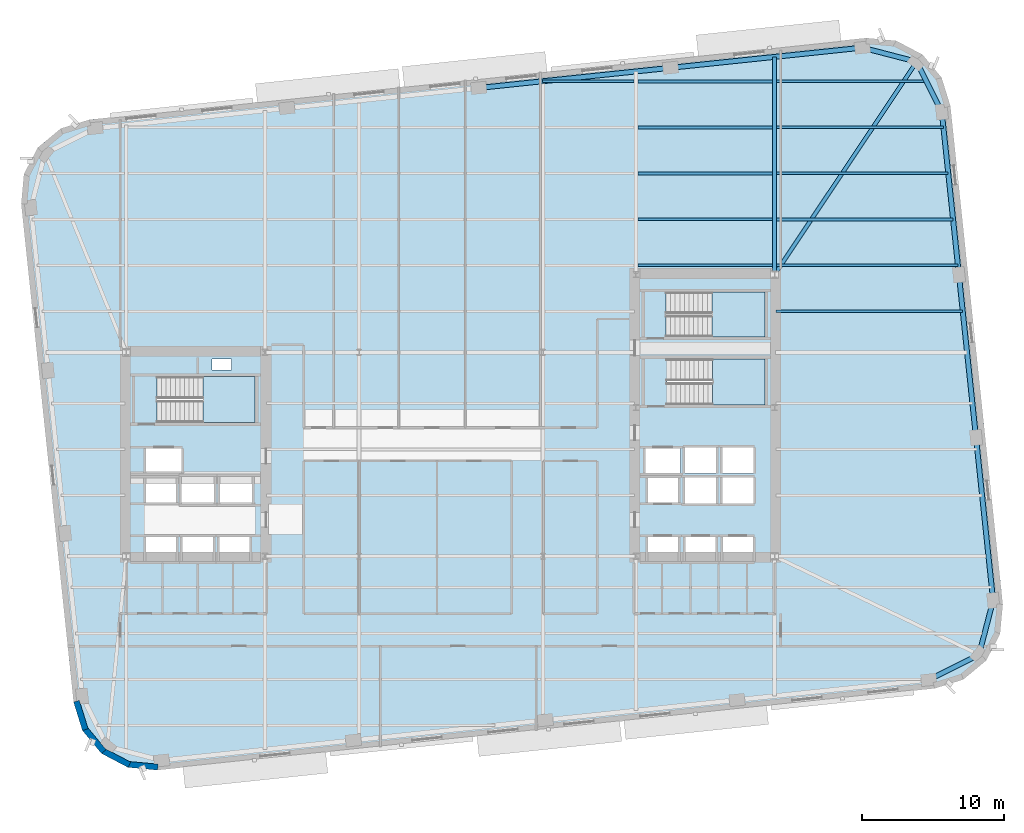
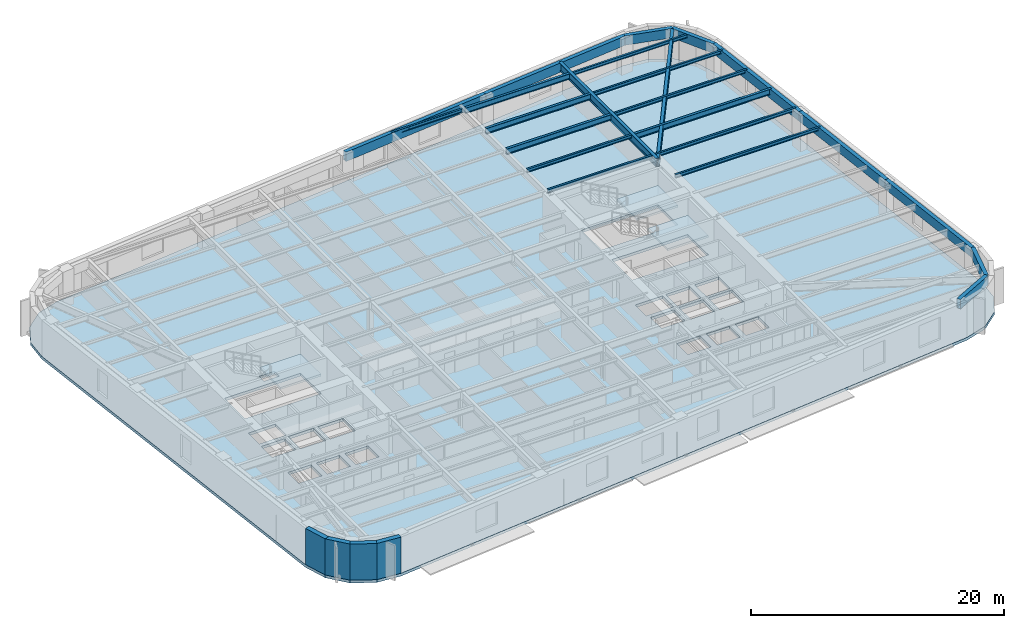
# One storey, part 3 of 15: 23 beams, 4 slabs, 4 walls, 3 elements without a shape of their own.
"""IFC4 building model written with IfcOpenShell, lengths in metres."""

from ifc_helpers import new_model, si_unit, direction, frame, frame_2d, origin, origin_2d, place, context, subcontext, project, spatial, polyline, rectangle, hollow_rectangle, i_section, outline, extrude, material, layer, layer_set, material_profile, profile_set, type_object, element, aggregate, save


model = new_model("IFC4")

# Units and contexts
model_context = context("Model", 3, precision=1e-05, world=origin(), true_north=direction((0.0, 1.0)))
body_context = subcontext(model_context, "Body", "Model", "MODEL_VIEW")
ifc_project = project(units=[si_unit("LENGTHUNIT", "METRE"), si_unit("AREAUNIT", "SQUARE_METRE"), si_unit("VOLUMEUNIT", "CUBIC_METRE"), si_unit("PLANEANGLEUNIT", "RADIAN"), si_unit("MASSUNIT", "GRAM", prefix="KILO")], contexts=[model_context])

# Site, building, storey
site_placement = place(None, origin())
site = spatial("IfcSite", under=ifc_project, at=site_placement, CompositionType="ELEMENT")
building_placement = place(site_placement, origin())
building = spatial("IfcBuilding", under=site, at=building_placement, Name="Kolvaren Arena Tower", CompositionType="ELEMENT")
storey_placement = place(building_placement, frame((0.0, 0.0, 118.449951171875)))
storey = spatial("IfcBuildingStorey", under=building, at=storey_placement, Name="L27", CompositionType="ELEMENT", Elevation=118.449951171875)

# Beams
ifc_material_1 = material(Name="Steel CSA G40.21 350W", Category="steel")
ifc_material_profile_1 = material_profile(ifc_material_1, i_section(OverallWidth=0.2119140625, OverallDepth=0.54296875, WebThickness=0.01318359375, FlangeThickness=0.0244140625, FilletRadius=0.013916015625, at=origin_2d()), Name="W530x150")
ifc_profile_set_1 = profile_set([ifc_material_profile_1], Name="Steel CSA G40.21 350W")
beam_type_1 = type_object("IfcBeamType", Name="BEAM-F1", PredefinedType="BEAM", material=ifc_profile_set_1)
beam_1_placement = place(storey_placement, frame((60.485107421875, 43.25, 3.20849609375), z_axis=(1.0, 0.0, 0.0), x_axis=(0.0, 1.0, 0.0)))
element("IfcBeam", 1, at=beam_1_placement, inside=storey, type_object=beam_type_1, Name="Composite Floor Beam (L27)", PredefinedType="BEAM", context=body_context, shape_type="SweptSolid", body=[
    extrude(i_section(OverallWidth=0.2119140625, OverallDepth=0.54296875, WebThickness=0.01318359375, FlangeThickness=0.0244140625, FilletRadius=0.013916015625, at=origin_2d()), origin(), (0.0, 0.0, 1.0), 12.471435546875),
])
for number, where, z_axis, x_axis, name in (
    (2, (50.68505859375, 46.5, 3.20849609375), (1.0, 0.0, 0.0), (0.0, 1.0, 0.0), "Composite Floor Beam (L27)"),
    (3, (50.68505859375, 49.75, 3.20849609375), (1.0, 0.0, 0.0), (0.0, 1.0, 0.0), "Composite Floor Beam (L27)"),
    (4, (50.68505859375, 53.0, 3.20849609375), (1.0, 0.0, 0.0), (0.0, 1.0, 0.0), "Composite Floor Beam (L27)"),
):
    element("IfcBeam", number, at=place(storey_placement, frame(where, z_axis=z_axis, x_axis=x_axis)), inside=storey, type_object=beam_type_1, Name=name, PredefinedType="BEAM", context=body_context, shape_type="SweptSolid", body=[
        extrude(i_section(OverallWidth=0.2119140625, OverallDepth=0.54296875, WebThickness=0.01318359375, FlangeThickness=0.0244140625, FilletRadius=0.013916015625, at=origin_2d()), origin(), (0.0, 0.0, 1.0), 9.530029296875),
    ])
ifc_material_profile_2 = material_profile(ifc_material_1, i_section(OverallWidth=0.27001953125, OverallDepth=0.77294921875, WebThickness=0.019287109375, FlangeThickness=0.033447265625, FilletRadius=0.01806640625, at=origin_2d()), Name="W760x257")
ifc_profile_set_2 = profile_set([ifc_material_profile_2], Name="Steel CSA G40.21 350W")
beam_type_2 = type_object("IfcBeamType", Name="GIRD-T1", PredefinedType="BEAM", material=ifc_profile_set_2)
beam_2_placement = place(storey_placement, frame((70.387939453125, 54.37939453125, 3.093505859375), z_axis=(-0.555401401293, -0.831582397266, 0.0), x_axis=(0.831582397266, -0.555401401293, 0.0)))
element("IfcBeam", 5, at=beam_2_placement, inside=storey, type_object=beam_type_2, Name="Corner Diagonal Tie Girder (L27)", PredefinedType="BEAM", context=body_context, shape_type="SweptSolid", body=[
    extrude(i_section(OverallWidth=0.27001953125, OverallDepth=0.77294921875, WebThickness=0.019287109375, FlangeThickness=0.033447265625, FilletRadius=0.01806640625, at=origin_2d()), origin(), (0.0, 0.0, 1.0), 18.0732421875),
])
beam_3_placement = place(storey_placement, frame((60.35009765625, 39.405029296875, 3.093505859375), z_axis=(0.0, 1.0, 0.0), x_axis=(-1.0, 0.0, 0.0)))
element("IfcBeam", 6, at=beam_3_placement, inside=storey, type_object=beam_type_2, Name="Primary Floor Girder (L27)", PredefinedType="BEAM", context=body_context, shape_type="SweptSolid", body=[
    extrude(i_section(OverallWidth=0.27001953125, OverallDepth=0.77294921875, WebThickness=0.019287109375, FlangeThickness=0.033447265625, FilletRadius=0.01806640625, at=origin_2d()), origin(), (0.0, 0.0, 1.0), 15.318359375),
])
ifc_material_profile_3 = material_profile(ifc_material_1, i_section(OverallWidth=0.1669921875, OverallDepth=0.31689453125, WebThickness=0.007568359375, FlangeThickness=0.01318359375, FilletRadius=0.010009765625, at=origin_2d()), Name="W310x52")
ifc_profile_set_3 = profile_set([ifc_material_profile_3], Name="Steel CSA G40.21 350W")
beam_type_3 = type_object("IfcBeamType", Name="JOIST-02", PredefinedType="JOIST", material=ifc_profile_set_3)
beam_4_placement = place(storey_placement, frame((60.445068359375, 36.75, 3.321533203125), z_axis=(1.0, 0.0, 0.0), x_axis=(0.0, 1.0, 0.0)))
element("IfcBeam", 7, at=beam_4_placement, inside=storey, type_object=beam_type_3, Name="Composite Floor Joist (L27)", PredefinedType="JOIST", context=body_context, shape_type="SweptSolid", body=[
    extrude(i_section(OverallWidth=0.1669921875, OverallDepth=0.31689453125, WebThickness=0.007568359375, FlangeThickness=0.01318359375, FilletRadius=0.010009765625, at=origin_2d()), origin(), (0.0, 0.0, 1.0), 13.19482421875),
])
beam_5_placement = place(storey_placement, frame((50.68505859375, 40.0, 3.321533203125), z_axis=(1.0, 0.0, 0.0), x_axis=(0.0, 1.0, 0.0)))
element("IfcBeam", 8, at=beam_5_placement, inside=storey, type_object=beam_type_3, Name="Composite Floor Joist (L27)", PredefinedType="JOIST", context=body_context, shape_type="SweptSolid", body=[
    extrude(i_section(OverallWidth=0.1669921875, OverallDepth=0.31689453125, WebThickness=0.007568359375, FlangeThickness=0.01318359375, FilletRadius=0.010009765625, at=origin_2d()), origin(), (0.0, 0.0, 1.0), 9.530029296875),
])
beam_6_placement = place(storey_placement, frame((60.485107421875, 40.0, 3.321533203125), z_axis=(1.0, 0.0, 0.0), x_axis=(0.0, 1.0, 0.0)))
element("IfcBeam", 9, at=beam_6_placement, inside=storey, type_object=beam_type_3, Name="Composite Floor Joist (L27)", PredefinedType="JOIST", context=body_context, shape_type="SweptSolid", body=[
    extrude(i_section(OverallWidth=0.1669921875, OverallDepth=0.31689453125, WebThickness=0.007568359375, FlangeThickness=0.01318359375, FilletRadius=0.010009765625, at=origin_2d()), origin(), (0.0, 0.0, 1.0), 12.81298828125),
])
beam_7_placement = place(storey_placement, frame((50.68505859375, 43.25, 3.321533203125), z_axis=(1.0, 0.0, 0.0), x_axis=(0.0, 1.0, 0.0)))
element("IfcBeam", 10, at=beam_7_placement, inside=storey, type_object=beam_type_3, Name="Composite Floor Joist (L27)", PredefinedType="JOIST", context=body_context, shape_type="SweptSolid", body=[
    extrude(i_section(OverallWidth=0.1669921875, OverallDepth=0.31689453125, WebThickness=0.007568359375, FlangeThickness=0.01318359375, FilletRadius=0.010009765625, at=origin_2d()), origin(), (0.0, 0.0, 1.0), 9.530029296875),
])
beam_8_placement = place(storey_placement, frame((60.485107421875, 46.5, 3.321533203125), z_axis=(1.0, 0.0, 0.0), x_axis=(0.0, 1.0, 0.0)))
element("IfcBeam", 11, at=beam_8_placement, inside=storey, type_object=beam_type_3, Name="Composite Floor Joist (L27)", PredefinedType="JOIST", context=body_context, shape_type="SweptSolid", body=[
    extrude(i_section(OverallWidth=0.1669921875, OverallDepth=0.31689453125, WebThickness=0.007568359375, FlangeThickness=0.01318359375, FilletRadius=0.010009765625, at=origin_2d()), origin(), (0.0, 0.0, 1.0), 12.1298828125),
])
beam_9_placement = place(storey_placement, frame((60.485107421875, 49.75, 3.321533203125), z_axis=(1.0, 0.0, 0.0), x_axis=(0.0, 1.0, 0.0)))
element("IfcBeam", 12, at=beam_9_placement, inside=storey, type_object=beam_type_3, Name="Composite Floor Joist (L27)", PredefinedType="JOIST", context=body_context, shape_type="SweptSolid", body=[
    extrude(i_section(OverallWidth=0.1669921875, OverallDepth=0.31689453125, WebThickness=0.007568359375, FlangeThickness=0.01318359375, FilletRadius=0.010009765625, at=origin_2d()), origin(), (0.0, 0.0, 1.0), 11.788330078125),
])
beam_10_placement = place(storey_placement, frame((43.95361328125, 53.0, 3.321533203125), z_axis=(1.0, 0.0, 0.0), x_axis=(0.0, 1.0, 0.0)))
element("IfcBeam", 13, at=beam_10_placement, inside=storey, type_object=beam_type_3, Name="Composite Floor Joist (L27)", PredefinedType="JOIST", context=body_context, shape_type="SweptSolid", body=[
    extrude(i_section(OverallWidth=0.1669921875, OverallDepth=0.31689453125, WebThickness=0.007568359375, FlangeThickness=0.01318359375, FilletRadius=0.010009765625, at=origin_2d()), origin(), (0.0, 0.0, 1.0), 6.46142578125),
])
beam_11_placement = place(storey_placement, frame((60.485107421875, 53.0, 3.321533203125), z_axis=(1.0, 0.0, 0.0), x_axis=(0.0, 1.0, 0.0)))
element("IfcBeam", 14, at=beam_11_placement, inside=storey, type_object=beam_type_3, Name="Composite Floor Joist (L27)", PredefinedType="JOIST", context=body_context, shape_type="SweptSolid", body=[
    extrude(i_section(OverallWidth=0.1669921875, OverallDepth=0.31689453125, WebThickness=0.007568359375, FlangeThickness=0.01318359375, FilletRadius=0.010009765625, at=origin_2d()), origin(), (0.0, 0.0, 1.0), 10.592529296875),
])
ifc_material_2 = material(Name="Steel CSA G40.21 350WT", Category="steel")
ifc_material_profile_4 = material_profile(ifc_material_2, hollow_rectangle(XDim=0.35009765625, YDim=0.89990234375, WallThickness=0.02001953125, at=origin_2d()), Name="HSS 900x350x20")
ifc_profile_set_4 = profile_set([ifc_material_profile_4], Name="Steel CSA G40.21 350WT")
beam_type_4 = type_object("IfcBeamType", Name="SPAND-01", PredefinedType="SPANDREL", material=ifc_profile_set_4)
for number, where, z_axis, x_axis, name in (
    (15, (71.247314453125, 10.721435546875, 3.030029296875), (0.894451843771, 0.44716428656, 0.0), (-0.44716428656, 0.894451843771, 0.0), "Perimeter Spandrel Beam (L27)"),
    (16, (74.790283203125, 12.49267578125, 3.030029296875), (0.251473350892, 0.967864222808, 0.0), (-0.967864222808, 0.251473350892, 0.0), "Perimeter Spandrel Beam (L27)"),
):
    element("IfcBeam", number, at=place(storey_placement, frame(where, z_axis=z_axis, x_axis=x_axis)), inside=storey, type_object=beam_type_4, Name=name, PredefinedType="SPANDREL", context=body_context, shape_type="SweptSolid", body=[
        extrude(hollow_rectangle(XDim=0.35009765625, YDim=0.89990234375, WallThickness=0.02001953125, at=origin_2d()), origin(), (0.0, 0.0, 1.0), 3.9609375),
    ])
beam_12_placement = place(storey_placement, frame((75.786376953125, 16.326416015625, 3.030029296875), z_axis=(-0.104522171998, 0.994522556587, 0.0), x_axis=(-0.994522556587, -0.104522171998, 0.0)))
element("IfcBeam", 17, at=beam_12_placement, inside=storey, type_object=beam_type_4, Name="Perimeter Spandrel Beam (L27)", PredefinedType="SPANDREL", context=body_context, shape_type="SweptSolid", body=[
    extrude(hollow_rectangle(XDim=0.35009765625, YDim=0.89990234375, WallThickness=0.02001953125, at=origin_2d()), origin(), (0.0, 0.0, 1.0), 11.56689453125),
])
beam_13_placement = place(storey_placement, frame((74.577392578125, 27.829833984375, 3.030029296875), z_axis=(-0.104524366116, 0.994522325988, 0.0), x_axis=(-0.994522325988, -0.104524366116, 0.0)))
element("IfcBeam", 18, at=beam_13_placement, inside=storey, type_object=beam_type_4, Name="Perimeter Spandrel Beam (L27)", PredefinedType="SPANDREL", context=body_context, shape_type="SweptSolid", body=[
    extrude(hollow_rectangle(XDim=0.35009765625, YDim=0.89990234375, WallThickness=0.02001953125, at=origin_2d()), origin(), (0.0, 0.0, 1.0), 11.566650390625),
])
beam_14_placement = place(storey_placement, frame((73.368408203125, 39.3330078125, 3.030029296875), z_axis=(-0.104543048399, 0.994520362301, 0.0), x_axis=(-0.994520362301, -0.104543048399, 0.0)))
element("IfcBeam", 19, at=beam_14_placement, inside=storey, type_object=beam_type_4, Name="Perimeter Spandrel Beam (L27)", PredefinedType="SPANDREL", context=body_context, shape_type="SweptSolid", body=[
    extrude(hollow_rectangle(XDim=0.35009765625, YDim=0.89990234375, WallThickness=0.02001953125, at=origin_2d()), origin(), (0.0, 0.0, 1.0), 11.56689453125),
])
for number, where, z_axis, x_axis, name in (
    (20, (72.1591796875, 50.83642578125, 3.030029296875), (-0.44716428656, 0.894451843771, 0.0), (-0.894451843771, -0.44716428656, 0.0), "Perimeter Spandrel Beam (L27)"),
    (21, (70.387939453125, 54.37939453125, 3.030029296875), (-0.967864222808, 0.251473350892, 0.0), (-0.251473350892, -0.967864222808, 0.0), "Perimeter Spandrel Beam (L27)"),
):
    element("IfcBeam", number, at=place(storey_placement, frame(where, z_axis=z_axis, x_axis=x_axis)), inside=storey, type_object=beam_type_4, Name=name, PredefinedType="SPANDREL", context=body_context, shape_type="SweptSolid", body=[
        extrude(hollow_rectangle(XDim=0.35009765625, YDim=0.89990234375, WallThickness=0.02001953125, at=origin_2d()), origin(), (0.0, 0.0, 1.0), 3.9609375),
    ])
beam_15_placement = place(storey_placement, frame((66.55419921875, 55.37548828125, 3.030029296875), z_axis=(-0.994521150946, -0.104535545729, 0.0), x_axis=(0.104535545729, -0.994521150946, 0.0)))
element("IfcBeam", 22, at=beam_15_placement, inside=storey, type_object=beam_type_4, Name="Perimeter Spandrel Beam (L27)", PredefinedType="SPANDREL", context=body_context, shape_type="SweptSolid", body=[
    extrude(hollow_rectangle(XDim=0.35009765625, YDim=0.89990234375, WallThickness=0.02001953125, at=origin_2d()), origin(), (0.0, 0.0, 1.0), 13.625244140625),
])
beam_16_placement = place(storey_placement, frame((53.003662109375, 53.951171875, 3.030029296875), z_axis=(-0.994522817887, -0.104519685718, 0.0), x_axis=(0.104519685718, -0.994522817887, 0.0)))
element("IfcBeam", 23, at=beam_16_placement, inside=storey, type_object=beam_type_4, Name="Perimeter Spandrel Beam (L27)", PredefinedType="SPANDREL", context=body_context, shape_type="SweptSolid", body=[
    extrude(hollow_rectangle(XDim=0.35009765625, YDim=0.89990234375, WallThickness=0.02001953125, at=origin_2d()), origin(), (0.0, 0.0, 1.0), 13.625),
])

# Stair, slab
ifc_material_3 = material(Name="Concrete 45 MPa", Category="concrete")
stair_type_1 = type_object("IfcStairType", Name="STAIR-CORE-165", PredefinedType="HALF_TURN_STAIR", material=ifc_material_3)
stair_1_placement = place(storey_placement, origin())
stair_1 = element("IfcStair", 24, at=stair_1_placement, inside=storey, type_object=stair_type_1, Name="L27 ST-W1", PredefinedType="HALF_TURN_STAIR")
ifc_layer_1 = layer(ifc_material_3, 0.199951171875)
ifc_layer_set_1 = layer_set([ifc_layer_1], Name="Concrete 45 MPa")
slab_type_1 = type_object("IfcSlabType", Name="SLAB-LAND", PredefinedType="LANDING", material=ifc_layer_set_1)
slab_1_placement = place(storey_placement, frame((0.0, 0.0, 1.675048828125)))
slab_1 = element("IfcSlab", 25, at=slab_1_placement, type_object=slab_type_1, Name="ST-W1 landing 1", PredefinedType="LANDING", context=body_context, shape_type="SweptSolid", body=[
    extrude(outline(polyline([(19.9599609375, 28.89990234375), (23.659912109375, 28.89990234375), (23.659912109375, 32.1298828125), (19.9599609375, 32.1298828125), (19.9599609375, 28.89990234375)])), origin(), (0.0, 0.0, 1.0), 0.199951171875),
])
aggregate(stair_1, [slab_1])

stair_2_placement = place(storey_placement, origin())
stair_2 = element("IfcStair", 26, at=stair_2_placement, inside=storey, type_object=stair_type_1, Name="L27 ST-E1", PredefinedType="HALF_TURN_STAIR")
slab_2_placement = place(storey_placement, frame((0.0, 0.0, 1.675048828125)))
slab_2 = element("IfcSlab", 27, at=slab_2_placement, type_object=slab_type_1, Name="ST-E1 landing 1", PredefinedType="LANDING", context=body_context, shape_type="SweptSolid", body=[
    extrude(outline(polyline([(55.9599609375, 30.14990234375), (59.659912109375, 30.14990234375), (59.659912109375, 33.3798828125), (55.9599609375, 33.3798828125), (55.9599609375, 30.14990234375)])), origin(), (0.0, 0.0, 1.0), 0.199951171875),
])
aggregate(stair_2, [slab_2])

stair_type_2 = type_object("IfcStairType", Name="STAIR-CORE-150", PredefinedType="HALF_TURN_STAIR", material=ifc_material_3)
stair_3_placement = place(storey_placement, origin())
stair_3 = element("IfcStair", 28, at=stair_3_placement, inside=storey, type_object=stair_type_2, Name="L27 ST-E2", PredefinedType="HALF_TURN_STAIR")
slab_3_placement = place(storey_placement, frame((0.0, 0.0, 1.675048828125)))
slab_3 = element("IfcSlab", 29, at=slab_3_placement, type_object=slab_type_1, Name="ST-E2 landing 1", PredefinedType="LANDING", context=body_context, shape_type="SweptSolid", body=[
    extrude(outline(polyline([(55.919921875, 34.949951171875), (59.659912109375, 34.949951171875), (59.659912109375, 38.10009765625), (55.919921875, 38.10009765625), (55.919921875, 34.949951171875)])), origin(), (0.0, 0.0, 1.0), 0.199951171875),
])
aggregate(stair_3, [slab_3])

# Slab
ifc_layer_2 = layer(ifc_material_3, 0.27001953125)
ifc_layer_set_2 = layer_set([ifc_layer_2], Name="Concrete 45 MPa")
slab_type_2 = type_object("IfcSlabType", Name="SLAB-OFF2", PredefinedType="FLOOR", material=ifc_layer_set_2)
slab_4_placement = place(storey_placement, frame((0.0, 0.0, -0.27001953125)))
element("IfcSlab", 30, at=slab_4_placement, inside=storey, type_object=slab_type_2, Name="L27 Primary Structural Slab", PredefinedType="FLOOR", context=body_context, shape_type="SweptSolid", body=[
    extrude(outline(polyline([(71.663330078125, 10.111572265625), (73.675537109375, 10.736328125), (75.29541015625, 12.08349609375), (76.276611328125, 13.9482421875), (76.469482421875, 16.04638671875), (72.76904296875, 51.25244140625), (72.144287109375, 53.2646484375), (70.797119140625, 54.884521484375), (68.932373046875, 55.865478515625), (66.834228515625, 56.058349609375), (11.9365234375, 50.28857421875), (9.92431640625, 49.663818359375), (8.304443359375, 48.31640625), (7.323486328125, 46.45166015625), (7.130615234375, 44.353515625), (10.830810546875, 9.1474609375), (11.455810546875, 7.13525390625), (12.802978515625, 5.515380859375), (14.667724609375, 4.534423828125), (16.765869140625, 4.341552734375), (71.663330078125, 10.111572265625)]), holes=[polyline([(15.93505859375, 19.0849609375), (15.93505859375, 20.81494140625), (18.06494140625, 20.81494140625), (18.06494140625, 19.0849609375), (15.93505859375, 19.0849609375)]), polyline([(18.534912109375, 19.0849609375), (18.534912109375, 20.81494140625), (20.6650390625, 20.81494140625), (20.6650390625, 19.0849609375), (18.534912109375, 19.0849609375)]), polyline([(21.135009765625, 19.0849609375), (21.135009765625, 20.81494140625), (23.264892578125, 20.81494140625), (23.264892578125, 19.0849609375), (21.135009765625, 19.0849609375)]), polyline([(51.39501953125, 19.0849609375), (51.39501953125, 20.81494140625), (53.52490234375, 20.81494140625), (53.52490234375, 19.0849609375), (51.39501953125, 19.0849609375)]), polyline([(54.054931640625, 19.0849609375), (54.054931640625, 20.81494140625), (56.18505859375, 20.81494140625), (56.18505859375, 19.0849609375), (54.054931640625, 19.0849609375)]), polyline([(56.695068359375, 19.0849609375), (56.695068359375, 20.81494140625), (58.824951171875, 20.81494140625), (58.824951171875, 19.0849609375), (56.695068359375, 19.0849609375)]), polyline([(18.4599609375, 25.06494140625), (20.739990234375, 25.06494140625), (20.739990234375, 23.135009765625), (18.4599609375, 23.135009765625), (18.4599609375, 25.06494140625)]), polyline([(21.159912109375, 23.135009765625), (21.159912109375, 25.06494140625), (23.43994140625, 25.06494140625), (23.43994140625, 23.135009765625), (21.159912109375, 23.135009765625)]), polyline([(54.030029296875, 25.014892578125), (56.2099609375, 25.014892578125), (56.2099609375, 23.18505859375), (54.030029296875, 23.18505859375), (54.030029296875, 25.014892578125)]), polyline([(56.669921875, 25.014892578125), (58.85009765625, 25.014892578125), (58.85009765625, 23.18505859375), (56.669921875, 23.18505859375), (56.669921875, 25.014892578125)]), polyline([(15.93505859375, 24.965087890625), (18.06494140625, 24.965087890625), (18.06494140625, 23.235107421875), (15.93505859375, 23.235107421875), (15.93505859375, 24.965087890625)]), polyline([(51.39501953125, 23.235107421875), (51.39501953125, 24.965087890625), (53.52490234375, 24.965087890625), (53.52490234375, 23.235107421875), (51.39501953125, 23.235107421875)]), polyline([(54.030029296875, 25.284912109375), (54.030029296875, 27.114990234375), (56.2099609375, 27.114990234375), (56.2099609375, 25.284912109375), (54.030029296875, 25.284912109375)]), polyline([(56.669921875, 25.284912109375), (56.669921875, 27.114990234375), (58.85009765625, 27.114990234375), (58.85009765625, 25.284912109375), (56.669921875, 25.284912109375)]), polyline([(15.9599609375, 25.3349609375), (15.9599609375, 27.06494140625), (18.43994140625, 27.06494140625), (18.43994140625, 25.3349609375), (15.9599609375, 25.3349609375)]), polyline([(51.219970703125, 25.3349609375), (51.219970703125, 27.06494140625), (53.699951171875, 27.06494140625), (53.699951171875, 25.3349609375), (51.219970703125, 25.3349609375)]), polyline([(16.735107421875, 32.1298828125), (23.659912109375, 32.1298828125), (23.659912109375, 28.89990234375), (16.735107421875, 28.89990234375), (16.735107421875, 32.1298828125)]), polyline([(52.735107421875, 33.3798828125), (59.659912109375, 33.3798828125), (59.659912109375, 30.14990234375), (52.735107421875, 30.14990234375), (52.735107421875, 33.3798828125)]), polyline([(20.60009765625, 33.39990234375), (22.0, 33.39990234375), (22.0, 32.6201171875), (20.60009765625, 32.6201171875), (20.60009765625, 33.39990234375)]), polyline([(52.695068359375, 38.10009765625), (59.659912109375, 38.10009765625), (59.659912109375, 34.949951171875), (52.695068359375, 34.949951171875), (52.695068359375, 38.10009765625)])]), origin(), (0.0, 0.0, 1.0), 0.27001953125),
])

# Walls
ifc_material_4 = material(Name="Precast concrete C50/60", Category="concrete")
ifc_layer_3 = layer(ifc_material_4, 0.419921875)
ifc_layer_set_3 = layer_set([ifc_layer_3], Name="Precast concrete C50/60")
wall_type = type_object("IfcWallType", Name="EXT-PIER1", PredefinedType="SOLIDWALL", material=ifc_layer_set_3)
for number, where, z_axis, x_axis, name in (
    (31, (11.65625, 7.197509765625, 0.0), (0.0, 0.0, 1.0), (-0.296519484366, 0.955026803494, 0.0), "Exterior Precast Masonry-Frame Wall (L27)"),
    (32, (12.964599609375, 5.649658203125, 0.0), (0.0, 0.0, 1.0), (-0.639488914921, 0.768800317178, 0.0), "Exterior Precast Masonry-Frame Wall (L27)"),
    (33, (14.765380859375, 4.72021484375, 0.0), (0.0, 0.0, 1.0), (-0.884940843444, 0.465703450282, 0.0), "Exterior Precast Masonry-Frame Wall (L27)"),
):
    element("IfcWall", number, at=place(storey_placement, frame(where, z_axis=z_axis, x_axis=x_axis)), inside=storey, type_object=wall_type, Name=name, PredefinedType="SOLIDWALL", context=body_context, shape_type="SweptSolid", body=[
        extrude(rectangle(XDim=2.10693359375, YDim=0.419921875, at=frame_2d((1.053466796875, 0.0))), origin(), (0.0, 0.0, 1.0), 3.47998046875),
    ])
wall_placement = place(storey_placement, frame((16.784912109375, 4.55078125, 0.0), z_axis=(0.0, 0.0, 1.0), x_axis=(-0.995811110714, 0.091434303078, 0.0)))
element("IfcWall", 34, at=wall_placement, inside=storey, type_object=wall_type, Name="Exterior Precast Masonry-Frame Wall (L27)", PredefinedType="SOLIDWALL", context=body_context, shape_type="SweptSolid", body=[
    extrude(rectangle(XDim=2.106689453125, YDim=0.419921875, at=frame_2d((1.05322265625, 0.0))), origin(), (0.0, 0.0, 1.0), 3.47998046875),
])

save(model, "model.ifc")
